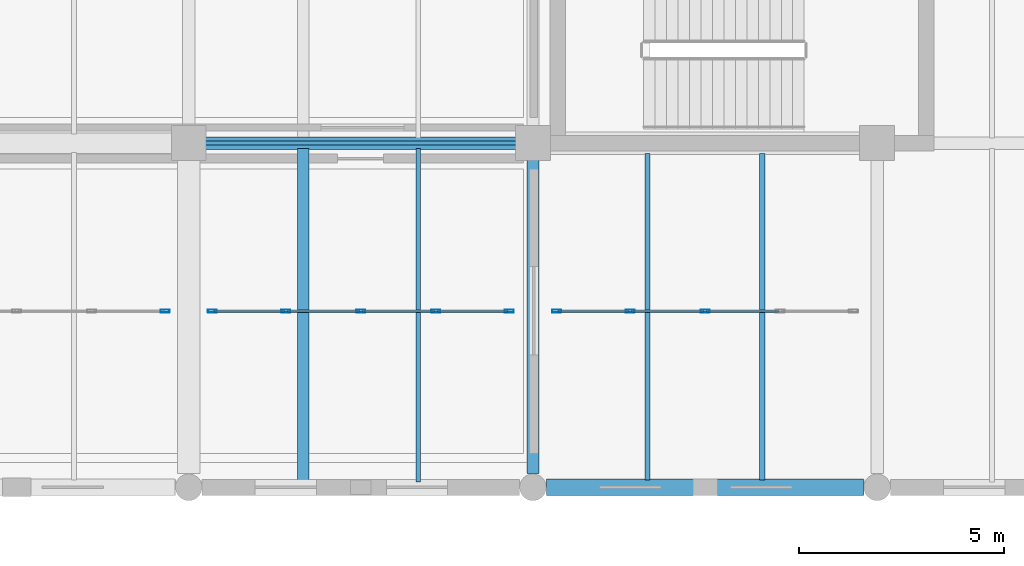
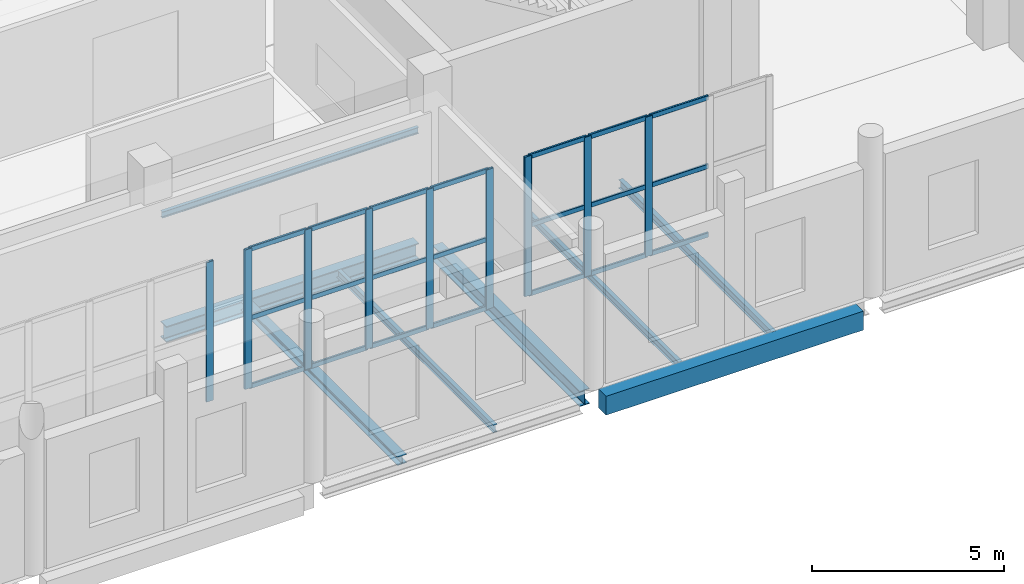
# One storey, part 7 of 73: 30 members, 8 beams, 3 elements without a shape of their own.
"""IFC4 building model written with IfcOpenShell, lengths in metres."""

from ifc_helpers import new_model, si_unit, direction, frame, origin, origin_2d, place, context, subcontext, project, spatial, rectangle, hollow_rectangle, i_section, extrude, material, layer, layer_set, material_profile, profile_set, type_object, element, aggregate, save


model = new_model("IFC4")

# Units and contexts
model_context = context("Model", 3, precision=1e-05, world=origin(), true_north=direction((0.0, 1.0)))
body_context = subcontext(model_context, "Body", "Model", "MODEL_VIEW")
ifc_project = project(units=[si_unit("LENGTHUNIT", "METRE"), si_unit("AREAUNIT", "SQUARE_METRE"), si_unit("VOLUMEUNIT", "CUBIC_METRE"), si_unit("PLANEANGLEUNIT", "RADIAN"), si_unit("MASSUNIT", "GRAM", prefix="KILO")], contexts=[model_context])

# Site, building, storey
site_placement = place(None, origin())
site = spatial("IfcSite", under=ifc_project, at=site_placement, CompositionType="ELEMENT")
building_placement = place(site_placement, origin())
building = spatial("IfcBuilding", under=site, at=building_placement, Name="Zulmaris Art Gallery", CompositionType="ELEMENT")
storey_placement = place(building_placement, frame((0.0, 0.0, 10.5)))
storey = spatial("IfcBuildingStorey", under=building, at=storey_placement, Name="L02", CompositionType="ELEMENT", Elevation=10.5)

# Beams
ifc_material_1 = material(Name="Steel S355J2", Category="steel")
ifc_material_profile_1 = material_profile(ifc_material_1, i_section(OverallWidth=0.300048828125, OverallDepth=0.489990234375, WebThickness=0.011962890625, FlangeThickness=0.02294921875, FilletRadius=0.027099609375, at=origin_2d()), Name="HEA 500")
ifc_profile_set_1 = profile_set([ifc_material_profile_1], Name="Steel S355J2")
beam_type_1 = type_object("IfcBeamType", Name="BEAM-BM11", PredefinedType="BEAM", material=ifc_profile_set_1)
beam_1_placement = place(storey_placement, frame((66.0, 13.534912109375, -0.64501953125), z_axis=(0.0, 1.0, 0.0), x_axis=(-1.0, 0.0, 0.0)))
element("IfcBeam", 1, at=beam_1_placement, inside=storey, type_object=beam_type_1, Name="L02 Y-girder (x=66.0, 13.2..21.6)", PredefinedType="BEAM", context=body_context, shape_type="SweptSolid", body=[
    extrude(i_section(OverallWidth=0.300048828125, OverallDepth=0.489990234375, WebThickness=0.011962890625, FlangeThickness=0.02294921875, FilletRadius=0.027099609375, at=origin_2d()), origin(), (0.0, 0.0, 1.0), 7.655029296875),
])
ifc_material_profile_2 = material_profile(ifc_material_1, i_section(OverallWidth=0.300048828125, OverallDepth=0.5, WebThickness=0.014404296875, FlangeThickness=0.028076171875, FilletRadius=0.027099609375, at=origin_2d()), Name="HEB 500")
ifc_profile_set_2 = profile_set([ifc_material_profile_2], Name="Steel S355J2")
beam_type_2 = type_object("IfcBeamType", Name="BEAM-BM14", PredefinedType="BEAM", material=ifc_profile_set_2)
beam_2_placement = place(storey_placement, frame((58.010009765625, 21.60009765625, -0.64990234375), z_axis=(1.0, 0.0, 0.0), x_axis=(0.0, 1.0, 0.0)))
element("IfcBeam", 2, at=beam_2_placement, inside=storey, type_object=beam_type_2, Name="L02 X-girder (57.6..66.0, y=21.6)", PredefinedType="BEAM", context=body_context, shape_type="SweptSolid", body=[
    extrude(i_section(OverallWidth=0.300048828125, OverallDepth=0.5, WebThickness=0.014404296875, FlangeThickness=0.028076171875, FilletRadius=0.027099609375, at=origin_2d()), origin(), (0.0, 0.0, 1.0), 7.580078125),
])
ifc_material_profile_3 = material_profile(ifc_material_1, i_section(OverallWidth=0.1201171875, OverallDepth=0.239990234375, WebThickness=0.006103515625, FlangeThickness=0.009765625, FilletRadius=0.014892578125, at=origin_2d()), Name="IPE 240")
ifc_profile_set_3 = profile_set([ifc_material_profile_3], Name="Steel S355J2")
beam_type_3 = type_object("IfcBeamType", Name="BEAM-JS01", PredefinedType="JOIST", material=ifc_profile_set_3)
beam_3_placement = place(storey_placement, frame((63.199951171875, 13.324951171875, -0.52001953125), z_axis=(0.0, 1.0, 0.0), x_axis=(-1.0, 0.0, 0.0)))
element("IfcBeam", 3, at=beam_3_placement, inside=storey, type_object=beam_type_3, Name="L02 secondary joist at x=63.2", PredefinedType="JOIST", context=body_context, shape_type="SweptSolid", body=[
    extrude(i_section(OverallWidth=0.1201171875, OverallDepth=0.239990234375, WebThickness=0.006103515625, FlangeThickness=0.009765625, FilletRadius=0.014892578125, at=origin_2d()), origin(), (0.0, 0.0, 1.0), 8.150146484375),
])
beam_4_placement = place(storey_placement, frame((68.800048828125, 13.375, -0.52001953125), z_axis=(0.0, 1.0, 0.0), x_axis=(-1.0, 0.0, 0.0)))
element("IfcBeam", 4, at=beam_4_placement, inside=storey, type_object=beam_type_3, Name="L02 secondary joist at x=68.8", PredefinedType="JOIST", context=body_context, shape_type="SweptSolid", body=[
    extrude(i_section(OverallWidth=0.1201171875, OverallDepth=0.239990234375, WebThickness=0.006103515625, FlangeThickness=0.009765625, FilletRadius=0.014892578125, at=origin_2d()), origin(), (0.0, 0.0, 1.0), 7.97509765625),
])
ifc_material_profile_4 = material_profile(ifc_material_1, i_section(OverallWidth=0.135009765625, OverallDepth=0.27001953125, WebThickness=0.006591796875, FlangeThickness=0.01025390625, FilletRadius=0.014892578125, at=origin_2d()), Name="IPE 270")
ifc_profile_set_4 = profile_set([ifc_material_profile_4], Name="Steel S355J2")
beam_type_4 = type_object("IfcBeamType", Name="BEAM-JS02", PredefinedType="JOIST", material=ifc_profile_set_4)
beam_5_placement = place(storey_placement, frame((71.60009765625, 13.375, -0.534912109375), z_axis=(0.0, 1.0, 0.0), x_axis=(-1.0, 0.0, 0.0)))
element("IfcBeam", 5, at=beam_5_placement, inside=storey, type_object=beam_type_4, Name="L02 secondary joist at x=71.6", PredefinedType="JOIST", context=body_context, shape_type="SweptSolid", body=[
    extrude(i_section(OverallWidth=0.135009765625, OverallDepth=0.27001953125, WebThickness=0.006591796875, FlangeThickness=0.01025390625, FilletRadius=0.014892578125, at=origin_2d()), origin(), (0.0, 0.0, 1.0), 7.97509765625),
])
ifc_material_profile_5 = material_profile(ifc_material_1, i_section(OverallWidth=0.280029296875, OverallDepth=0.27001953125, WebThickness=0.008056640625, FlangeThickness=0.012939453125, FilletRadius=0.02392578125, at=origin_2d()), Name="HEA 280")
ifc_profile_set_5 = profile_set([ifc_material_profile_5], Name="Steel S355J2")
beam_type_5 = type_object("IfcBeamType", Name="BEAM-JS04", PredefinedType="JOIST", material=ifc_profile_set_5)
beam_6_placement = place(storey_placement, frame((60.39990234375, 13.324951171875, -0.534912109375), z_axis=(0.0, 1.0, 0.0), x_axis=(-1.0, 0.0, 0.0)))
element("IfcBeam", 6, at=beam_6_placement, inside=storey, type_object=beam_type_5, Name="L02 secondary joist at x=60.4", PredefinedType="JOIST", context=body_context, shape_type="SweptSolid", body=[
    extrude(i_section(OverallWidth=0.280029296875, OverallDepth=0.27001953125, WebThickness=0.008056640625, FlangeThickness=0.012939453125, FilletRadius=0.02392578125, at=origin_2d()), origin(), (0.0, 0.0, 1.0), 8.150146484375),
])
ifc_material_profile_6 = material_profile(ifc_material_1, i_section(OverallWidth=0.10009765625, OverallDepth=0.199951171875, WebThickness=0.005615234375, FlangeThickness=0.008544921875, FilletRadius=0.011962890625, at=origin_2d()), Name="IPE 200")
ifc_profile_set_6 = profile_set([ifc_material_profile_6], Name="Steel S355J2")
beam_type_6 = type_object("IfcBeamType", Name="BEAM-LN01", PredefinedType="LINTEL", material=ifc_profile_set_6)
beam_7_placement = place(storey_placement, frame((57.949951171875, 21.60009765625, 3.10009765625), z_axis=(1.0, 0.0, 0.0), x_axis=(0.0, 1.0, 0.0)))
element("IfcBeam", 7, at=beam_7_placement, inside=storey, type_object=beam_type_6, Name="L02 portal lintel 8", PredefinedType="LINTEL", context=body_context, shape_type="SweptSolid", body=[
    extrude(i_section(OverallWidth=0.10009765625, OverallDepth=0.199951171875, WebThickness=0.005615234375, FlangeThickness=0.008544921875, FilletRadius=0.011962890625, at=origin_2d()), origin(), (0.0, 0.0, 1.0), 7.699951171875),
])
ifc_material_2 = material(Name="Concrete C40/50", Category="concrete")
ifc_material_profile_7 = material_profile(ifc_material_2, rectangle(XDim=0.39990234375, YDim=0.60009765625, at=origin_2d()), Name="RC 400x600")
ifc_profile_set_7 = profile_set([ifc_material_profile_7], Name="Concrete C40/50")
beam_type_7 = type_object("IfcBeamType", Name="BEAM-SP03", PredefinedType="SPANDREL", material=ifc_profile_set_7)
beam_8_placement = place(storey_placement, frame((66.3349609375, 13.199951171875, -0.699951171875), z_axis=(1.0, 0.0, 0.0), x_axis=(0.0, 1.0, 0.0)))
element("IfcBeam", 8, at=beam_8_placement, inside=storey, type_object=beam_type_7, Name="L02 X-girder (66.0..74.4, y=13.2)", PredefinedType="SPANDREL", context=body_context, shape_type="SweptSolid", body=[
    extrude(rectangle(XDim=0.39990234375, YDim=0.60009765625, at=origin_2d()), origin(), (0.0, 0.0, 1.0), 7.72998046875),
])

# Curtain wall, member
ifc_material_3 = material(Name="Cloister & Court Glazed Curtain Wall", Category="aluminium")
ifc_layer = layer(ifc_material_3, 0.179931640625)
ifc_layer_set = layer_set([ifc_layer], Name="Cloister & Court Glazed Curtain Wall")
curtain_wall_type = type_object("IfcCurtainWallType", Name="CW-CW03", PredefinedType="NOTDEFINED", material=ifc_layer_set)
curtain_wall_1_placement = place(storey_placement, origin())
curtain_wall_1 = element("IfcCurtainWall", 9, at=curtain_wall_1_placement, inside=storey, type_object=curtain_wall_type, Name="L02 curtain wall 59", PredefinedType="NOTDEFINED")
ifc_material_4 = material(Name="Anodised Bronze Aluminium", Category="aluminium")
ifc_material_profile_8 = material_profile(ifc_material_4, hollow_rectangle(XDim=0.074951171875, YDim=0.219970703125, WallThickness=0.0048828125, InnerFilletRadius=0.007568359375, OuterFilletRadius=0.012451171875, at=origin_2d()), Name="ALU 75x220x5")
ifc_profile_set_8 = profile_set([ifc_material_profile_8], Name="Anodised Bronze Aluminium")
member_type_1 = type_object("IfcMemberType", Name="CWMUL-02", PredefinedType="MULLION", material=ifc_profile_set_8)
member_1_placement = place(storey_placement, frame((57.0224609375, 17.5, 0.0), z_axis=(0.0, 0.0, 1.0), x_axis=(0.0, 1.0, 0.0)))
member_1 = element("IfcMember", 10, at=member_1_placement, type_object=member_type_1, Name="CW03 mullion 5", PredefinedType="MULLION", context=body_context, shape_type="SweptSolid", body=[
    extrude(hollow_rectangle(XDim=0.074951171875, YDim=0.219970703125, WallThickness=0.0048828125, InnerFilletRadius=0.007568359375, OuterFilletRadius=0.012451171875, at=origin_2d()), origin(), (0.0, 0.0, 1.0), 4.429931640625),
])
aggregate(curtain_wall_1, [member_1])

# Curtain wall, members
curtain_wall_2_placement = place(storey_placement, origin())
curtain_wall_2 = element("IfcCurtainWall", 11, at=curtain_wall_2_placement, inside=storey, type_object=curtain_wall_type, Name="L02 curtain wall 60", PredefinedType="NOTDEFINED")
member_2_placement = place(storey_placement, frame((58.177490234375, 17.5, 0.0), z_axis=(0.0, 0.0, 1.0), x_axis=(0.0, 1.0, 0.0)))
member_2 = element("IfcMember", 12, at=member_2_placement, type_object=member_type_1, Name="CW03 mullion 1", PredefinedType="MULLION", context=body_context, shape_type="SweptSolid", body=[
    extrude(hollow_rectangle(XDim=0.074951171875, YDim=0.219970703125, WallThickness=0.0048828125, InnerFilletRadius=0.007568359375, OuterFilletRadius=0.012451171875, at=origin_2d()), origin(), (0.0, 0.0, 1.0), 4.429931640625),
])
member_3_placement = place(storey_placement, frame((59.969970703125, 17.5, 0.0), z_axis=(0.0, 0.0, 1.0), x_axis=(0.0, 1.0, 0.0)))
member_3 = element("IfcMember", 13, at=member_3_placement, type_object=member_type_1, Name="CW03 mullion 2", PredefinedType="MULLION", context=body_context, shape_type="SweptSolid", body=[
    extrude(hollow_rectangle(XDim=0.074951171875, YDim=0.219970703125, WallThickness=0.0048828125, InnerFilletRadius=0.007568359375, OuterFilletRadius=0.012451171875, at=origin_2d()), origin(), (0.0, 0.0, 1.0), 4.429931640625),
])
member_4_placement = place(storey_placement, frame((61.800048828125, 17.5, 0.0), z_axis=(0.0, 0.0, 1.0), x_axis=(0.0, 1.0, 0.0)))
member_4 = element("IfcMember", 14, at=member_4_placement, type_object=member_type_1, Name="CW03 mullion 3", PredefinedType="MULLION", context=body_context, shape_type="SweptSolid", body=[
    extrude(hollow_rectangle(XDim=0.074951171875, YDim=0.219970703125, WallThickness=0.0048828125, InnerFilletRadius=0.007568359375, OuterFilletRadius=0.012451171875, at=origin_2d()), origin(), (0.0, 0.0, 1.0), 4.429931640625),
])
member_5_placement = place(storey_placement, frame((63.6298828125, 17.5, 0.0), z_axis=(0.0, 0.0, 1.0), x_axis=(0.0, 1.0, 0.0)))
member_5 = element("IfcMember", 15, at=member_5_placement, type_object=member_type_1, Name="CW03 mullion 4", PredefinedType="MULLION", context=body_context, shape_type="SweptSolid", body=[
    extrude(hollow_rectangle(XDim=0.074951171875, YDim=0.219970703125, WallThickness=0.0048828125, InnerFilletRadius=0.007568359375, OuterFilletRadius=0.012451171875, at=origin_2d()), origin(), (0.0, 0.0, 1.0), 4.429931640625),
])
member_6_placement = place(storey_placement, frame((65.422607421875, 17.5, 0.0), z_axis=(0.0, 0.0, 1.0), x_axis=(0.0, 1.0, 0.0)))
member_6 = element("IfcMember", 16, at=member_6_placement, type_object=member_type_1, Name="CW03 mullion 5", PredefinedType="MULLION", context=body_context, shape_type="SweptSolid", body=[
    extrude(hollow_rectangle(XDim=0.074951171875, YDim=0.219970703125, WallThickness=0.0048828125, InnerFilletRadius=0.007568359375, OuterFilletRadius=0.012451171875, at=origin_2d()), origin(), (0.0, 0.0, 1.0), 4.429931640625),
])

curtain_wall_3_placement = place(storey_placement, origin())
curtain_wall_3 = element("IfcCurtainWall", 17, at=curtain_wall_3_placement, inside=storey, type_object=curtain_wall_type, Name="L02 curtain wall 61", PredefinedType="NOTDEFINED")
member_7_placement = place(storey_placement, frame((66.577392578125, 17.5, 0.0), z_axis=(0.0, 0.0, 1.0), x_axis=(0.0, 1.0, 0.0)))
member_7 = element("IfcMember", 18, at=member_7_placement, type_object=member_type_1, Name="CW03 mullion 1", PredefinedType="MULLION", context=body_context, shape_type="SweptSolid", body=[
    extrude(hollow_rectangle(XDim=0.074951171875, YDim=0.219970703125, WallThickness=0.0048828125, InnerFilletRadius=0.007568359375, OuterFilletRadius=0.012451171875, at=origin_2d()), origin(), (0.0, 0.0, 1.0), 4.429931640625),
])
member_8_placement = place(storey_placement, frame((68.3701171875, 17.5, 0.0), z_axis=(0.0, 0.0, 1.0), x_axis=(0.0, 1.0, 0.0)))
member_8 = element("IfcMember", 19, at=member_8_placement, type_object=member_type_1, Name="CW03 mullion 2", PredefinedType="MULLION", context=body_context, shape_type="SweptSolid", body=[
    extrude(hollow_rectangle(XDim=0.074951171875, YDim=0.219970703125, WallThickness=0.0048828125, InnerFilletRadius=0.007568359375, OuterFilletRadius=0.012451171875, at=origin_2d()), origin(), (0.0, 0.0, 1.0), 4.429931640625),
])
member_9_placement = place(storey_placement, frame((70.199951171875, 17.5, 0.0), z_axis=(0.0, 0.0, 1.0), x_axis=(0.0, 1.0, 0.0)))
member_9 = element("IfcMember", 20, at=member_9_placement, type_object=member_type_1, Name="CW03 mullion 3", PredefinedType="MULLION", context=body_context, shape_type="SweptSolid", body=[
    extrude(hollow_rectangle(XDim=0.074951171875, YDim=0.219970703125, WallThickness=0.0048828125, InnerFilletRadius=0.007568359375, OuterFilletRadius=0.012451171875, at=origin_2d()), origin(), (0.0, 0.0, 1.0), 4.429931640625),
])

# Member
ifc_material_profile_9 = material_profile(ifc_material_4, hollow_rectangle(XDim=0.06494140625, YDim=0.14990234375, WallThickness=0.00390625, InnerFilletRadius=0.006103515625, OuterFilletRadius=0.010009765625, at=origin_2d()), Name="ALU 65x150x4")
ifc_profile_set_9 = profile_set([ifc_material_profile_9], Name="Anodised Bronze Aluminium")
member_type_2 = type_object("IfcMemberType", Name="CWTRN-01", PredefinedType="USERDEFINED", material=ifc_profile_set_9)
member_10_placement = place(storey_placement, frame((58.215087890625, 17.5, 0.03759765625), z_axis=(1.0, 0.0, 0.0), x_axis=(0.0, 1.0, 0.0)))
member_10 = element("IfcMember", 21, at=member_10_placement, type_object=member_type_2, Name="CW03 transom 1.1", ObjectType="TRANSOM", PredefinedType="USERDEFINED", context=body_context, shape_type="SweptSolid", body=[
    extrude(hollow_rectangle(XDim=0.06494140625, YDim=0.14990234375, WallThickness=0.00390625, InnerFilletRadius=0.006103515625, OuterFilletRadius=0.010009765625, at=origin_2d()), origin(), (0.0, 0.0, 1.0), 1.717529296875),
])

member_11_placement = place(storey_placement, frame((58.215087890625, 17.5, 2.215087890625), z_axis=(1.0, 0.0, 0.0), x_axis=(0.0, 1.0, 0.0)))
member_11 = element("IfcMember", 22, at=member_11_placement, type_object=member_type_2, Name="CW03 transom 1.2", ObjectType="TRANSOM", PredefinedType="USERDEFINED", context=body_context, shape_type="SweptSolid", body=[
    extrude(hollow_rectangle(XDim=0.06494140625, YDim=0.14990234375, WallThickness=0.00390625, InnerFilletRadius=0.006103515625, OuterFilletRadius=0.010009765625, at=origin_2d()), origin(), (0.0, 0.0, 1.0), 1.717529296875),
])

member_12_placement = place(storey_placement, frame((58.215087890625, 17.5, 4.392578125), z_axis=(1.0, 0.0, 0.0), x_axis=(0.0, 1.0, 0.0)))
member_12 = element("IfcMember", 23, at=member_12_placement, type_object=member_type_2, Name="CW03 transom 1.3", ObjectType="TRANSOM", PredefinedType="USERDEFINED", context=body_context, shape_type="SweptSolid", body=[
    extrude(hollow_rectangle(XDim=0.06494140625, YDim=0.14990234375, WallThickness=0.00390625, InnerFilletRadius=0.006103515625, OuterFilletRadius=0.010009765625, at=origin_2d()), origin(), (0.0, 0.0, 1.0), 1.717529296875),
])

member_13_placement = place(storey_placement, frame((60.007568359375, 17.5, 0.03759765625), z_axis=(1.0, 0.0, 0.0), x_axis=(0.0, 1.0, 0.0)))
member_13 = element("IfcMember", 24, at=member_13_placement, type_object=member_type_2, Name="CW03 transom 2.1", ObjectType="TRANSOM", PredefinedType="USERDEFINED", context=body_context, shape_type="SweptSolid", body=[
    extrude(hollow_rectangle(XDim=0.06494140625, YDim=0.14990234375, WallThickness=0.00390625, InnerFilletRadius=0.006103515625, OuterFilletRadius=0.010009765625, at=origin_2d()), origin(), (0.0, 0.0, 1.0), 1.7548828125),
])

member_14_placement = place(storey_placement, frame((60.007568359375, 17.5, 2.215087890625), z_axis=(1.0, 0.0, 0.0), x_axis=(0.0, 1.0, 0.0)))
member_14 = element("IfcMember", 25, at=member_14_placement, type_object=member_type_2, Name="CW03 transom 2.2", ObjectType="TRANSOM", PredefinedType="USERDEFINED", context=body_context, shape_type="SweptSolid", body=[
    extrude(hollow_rectangle(XDim=0.06494140625, YDim=0.14990234375, WallThickness=0.00390625, InnerFilletRadius=0.006103515625, OuterFilletRadius=0.010009765625, at=origin_2d()), origin(), (0.0, 0.0, 1.0), 1.7548828125),
])

member_15_placement = place(storey_placement, frame((60.007568359375, 17.5, 4.392578125), z_axis=(1.0, 0.0, 0.0), x_axis=(0.0, 1.0, 0.0)))
member_15 = element("IfcMember", 26, at=member_15_placement, type_object=member_type_2, Name="CW03 transom 2.3", ObjectType="TRANSOM", PredefinedType="USERDEFINED", context=body_context, shape_type="SweptSolid", body=[
    extrude(hollow_rectangle(XDim=0.06494140625, YDim=0.14990234375, WallThickness=0.00390625, InnerFilletRadius=0.006103515625, OuterFilletRadius=0.010009765625, at=origin_2d()), origin(), (0.0, 0.0, 1.0), 1.7548828125),
])

member_16_placement = place(storey_placement, frame((61.83740234375, 17.5, 0.03759765625), z_axis=(1.0, 0.0, 0.0), x_axis=(0.0, 1.0, 0.0)))
member_16 = element("IfcMember", 27, at=member_16_placement, type_object=member_type_2, Name="CW03 transom 3.1", ObjectType="TRANSOM", PredefinedType="USERDEFINED", context=body_context, shape_type="SweptSolid", body=[
    extrude(hollow_rectangle(XDim=0.06494140625, YDim=0.14990234375, WallThickness=0.00390625, InnerFilletRadius=0.006103515625, OuterFilletRadius=0.010009765625, at=origin_2d()), origin(), (0.0, 0.0, 1.0), 1.755126953125),
])

member_17_placement = place(storey_placement, frame((61.83740234375, 17.5, 2.215087890625), z_axis=(1.0, 0.0, 0.0), x_axis=(0.0, 1.0, 0.0)))
member_17 = element("IfcMember", 28, at=member_17_placement, type_object=member_type_2, Name="CW03 transom 3.2", ObjectType="TRANSOM", PredefinedType="USERDEFINED", context=body_context, shape_type="SweptSolid", body=[
    extrude(hollow_rectangle(XDim=0.06494140625, YDim=0.14990234375, WallThickness=0.00390625, InnerFilletRadius=0.006103515625, OuterFilletRadius=0.010009765625, at=origin_2d()), origin(), (0.0, 0.0, 1.0), 1.755126953125),
])

member_18_placement = place(storey_placement, frame((61.83740234375, 17.5, 4.392578125), z_axis=(1.0, 0.0, 0.0), x_axis=(0.0, 1.0, 0.0)))
member_18 = element("IfcMember", 29, at=member_18_placement, type_object=member_type_2, Name="CW03 transom 3.3", ObjectType="TRANSOM", PredefinedType="USERDEFINED", context=body_context, shape_type="SweptSolid", body=[
    extrude(hollow_rectangle(XDim=0.06494140625, YDim=0.14990234375, WallThickness=0.00390625, InnerFilletRadius=0.006103515625, OuterFilletRadius=0.010009765625, at=origin_2d()), origin(), (0.0, 0.0, 1.0), 1.755126953125),
])

member_19_placement = place(storey_placement, frame((63.66748046875, 17.5, 0.03759765625), z_axis=(1.0, 0.0, 0.0), x_axis=(0.0, 1.0, 0.0)))
member_19 = element("IfcMember", 30, at=member_19_placement, type_object=member_type_2, Name="CW03 transom 4.1", ObjectType="TRANSOM", PredefinedType="USERDEFINED", context=body_context, shape_type="SweptSolid", body=[
    extrude(hollow_rectangle(XDim=0.06494140625, YDim=0.14990234375, WallThickness=0.00390625, InnerFilletRadius=0.006103515625, OuterFilletRadius=0.010009765625, at=origin_2d()), origin(), (0.0, 0.0, 1.0), 1.717529296875),
])

member_20_placement = place(storey_placement, frame((63.66748046875, 17.5, 2.215087890625), z_axis=(1.0, 0.0, 0.0), x_axis=(0.0, 1.0, 0.0)))
member_20 = element("IfcMember", 31, at=member_20_placement, type_object=member_type_2, Name="CW03 transom 4.2", ObjectType="TRANSOM", PredefinedType="USERDEFINED", context=body_context, shape_type="SweptSolid", body=[
    extrude(hollow_rectangle(XDim=0.06494140625, YDim=0.14990234375, WallThickness=0.00390625, InnerFilletRadius=0.006103515625, OuterFilletRadius=0.010009765625, at=origin_2d()), origin(), (0.0, 0.0, 1.0), 1.717529296875),
])

member_21_placement = place(storey_placement, frame((63.66748046875, 17.5, 4.392578125), z_axis=(1.0, 0.0, 0.0), x_axis=(0.0, 1.0, 0.0)))
member_21 = element("IfcMember", 32, at=member_21_placement, type_object=member_type_2, Name="CW03 transom 4.3", ObjectType="TRANSOM", PredefinedType="USERDEFINED", context=body_context, shape_type="SweptSolid", body=[
    extrude(hollow_rectangle(XDim=0.06494140625, YDim=0.14990234375, WallThickness=0.00390625, InnerFilletRadius=0.006103515625, OuterFilletRadius=0.010009765625, at=origin_2d()), origin(), (0.0, 0.0, 1.0), 1.717529296875),
])

aggregate(curtain_wall_2, [member_2, member_3, member_4, member_5, member_6, member_10, member_11, member_12, member_13, member_14, member_15, member_16, member_17, member_18, member_19, member_20, member_21])

member_22_placement = place(storey_placement, frame((66.614990234375, 17.5, 0.03759765625), z_axis=(1.0, 0.0, 0.0), x_axis=(0.0, 1.0, 0.0)))
member_22 = element("IfcMember", 33, at=member_22_placement, type_object=member_type_2, Name="CW03 transom 1.1", ObjectType="TRANSOM", PredefinedType="USERDEFINED", context=body_context, shape_type="SweptSolid", body=[
    extrude(hollow_rectangle(XDim=0.06494140625, YDim=0.14990234375, WallThickness=0.00390625, InnerFilletRadius=0.006103515625, OuterFilletRadius=0.010009765625, at=origin_2d()), origin(), (0.0, 0.0, 1.0), 1.717529296875),
])

member_23_placement = place(storey_placement, frame((66.614990234375, 17.5, 2.215087890625), z_axis=(1.0, 0.0, 0.0), x_axis=(0.0, 1.0, 0.0)))
member_23 = element("IfcMember", 34, at=member_23_placement, type_object=member_type_2, Name="CW03 transom 1.2", ObjectType="TRANSOM", PredefinedType="USERDEFINED", context=body_context, shape_type="SweptSolid", body=[
    extrude(hollow_rectangle(XDim=0.06494140625, YDim=0.14990234375, WallThickness=0.00390625, InnerFilletRadius=0.006103515625, OuterFilletRadius=0.010009765625, at=origin_2d()), origin(), (0.0, 0.0, 1.0), 1.717529296875),
])

member_24_placement = place(storey_placement, frame((66.614990234375, 17.5, 4.392578125), z_axis=(1.0, 0.0, 0.0), x_axis=(0.0, 1.0, 0.0)))
member_24 = element("IfcMember", 35, at=member_24_placement, type_object=member_type_2, Name="CW03 transom 1.3", ObjectType="TRANSOM", PredefinedType="USERDEFINED", context=body_context, shape_type="SweptSolid", body=[
    extrude(hollow_rectangle(XDim=0.06494140625, YDim=0.14990234375, WallThickness=0.00390625, InnerFilletRadius=0.006103515625, OuterFilletRadius=0.010009765625, at=origin_2d()), origin(), (0.0, 0.0, 1.0), 1.717529296875),
])

member_25_placement = place(storey_placement, frame((68.407470703125, 17.5, 0.03759765625), z_axis=(1.0, 0.0, 0.0), x_axis=(0.0, 1.0, 0.0)))
member_25 = element("IfcMember", 36, at=member_25_placement, type_object=member_type_2, Name="CW03 transom 2.1", ObjectType="TRANSOM", PredefinedType="USERDEFINED", context=body_context, shape_type="SweptSolid", body=[
    extrude(hollow_rectangle(XDim=0.06494140625, YDim=0.14990234375, WallThickness=0.00390625, InnerFilletRadius=0.006103515625, OuterFilletRadius=0.010009765625, at=origin_2d()), origin(), (0.0, 0.0, 1.0), 1.755126953125),
])

member_26_placement = place(storey_placement, frame((68.407470703125, 17.5, 2.215087890625), z_axis=(1.0, 0.0, 0.0), x_axis=(0.0, 1.0, 0.0)))
member_26 = element("IfcMember", 37, at=member_26_placement, type_object=member_type_2, Name="CW03 transom 2.2", ObjectType="TRANSOM", PredefinedType="USERDEFINED", context=body_context, shape_type="SweptSolid", body=[
    extrude(hollow_rectangle(XDim=0.06494140625, YDim=0.14990234375, WallThickness=0.00390625, InnerFilletRadius=0.006103515625, OuterFilletRadius=0.010009765625, at=origin_2d()), origin(), (0.0, 0.0, 1.0), 1.755126953125),
])

member_27_placement = place(storey_placement, frame((68.407470703125, 17.5, 4.392578125), z_axis=(1.0, 0.0, 0.0), x_axis=(0.0, 1.0, 0.0)))
member_27 = element("IfcMember", 38, at=member_27_placement, type_object=member_type_2, Name="CW03 transom 2.3", ObjectType="TRANSOM", PredefinedType="USERDEFINED", context=body_context, shape_type="SweptSolid", body=[
    extrude(hollow_rectangle(XDim=0.06494140625, YDim=0.14990234375, WallThickness=0.00390625, InnerFilletRadius=0.006103515625, OuterFilletRadius=0.010009765625, at=origin_2d()), origin(), (0.0, 0.0, 1.0), 1.755126953125),
])

member_28_placement = place(storey_placement, frame((70.237548828125, 17.5, 0.03759765625), z_axis=(1.0, 0.0, 0.0), x_axis=(0.0, 1.0, 0.0)))
member_28 = element("IfcMember", 39, at=member_28_placement, type_object=member_type_2, Name="CW03 transom 3.1", ObjectType="TRANSOM", PredefinedType="USERDEFINED", context=body_context, shape_type="SweptSolid", body=[
    extrude(hollow_rectangle(XDim=0.06494140625, YDim=0.14990234375, WallThickness=0.00390625, InnerFilletRadius=0.006103515625, OuterFilletRadius=0.010009765625, at=origin_2d()), origin(), (0.0, 0.0, 1.0), 1.7548828125),
])

member_29_placement = place(storey_placement, frame((70.237548828125, 17.5, 2.215087890625), z_axis=(1.0, 0.0, 0.0), x_axis=(0.0, 1.0, 0.0)))
member_29 = element("IfcMember", 40, at=member_29_placement, type_object=member_type_2, Name="CW03 transom 3.2", ObjectType="TRANSOM", PredefinedType="USERDEFINED", context=body_context, shape_type="SweptSolid", body=[
    extrude(hollow_rectangle(XDim=0.06494140625, YDim=0.14990234375, WallThickness=0.00390625, InnerFilletRadius=0.006103515625, OuterFilletRadius=0.010009765625, at=origin_2d()), origin(), (0.0, 0.0, 1.0), 1.7548828125),
])

member_30_placement = place(storey_placement, frame((70.237548828125, 17.5, 4.392578125), z_axis=(1.0, 0.0, 0.0), x_axis=(0.0, 1.0, 0.0)))
member_30 = element("IfcMember", 41, at=member_30_placement, type_object=member_type_2, Name="CW03 transom 3.3", ObjectType="TRANSOM", PredefinedType="USERDEFINED", context=body_context, shape_type="SweptSolid", body=[
    extrude(hollow_rectangle(XDim=0.06494140625, YDim=0.14990234375, WallThickness=0.00390625, InnerFilletRadius=0.006103515625, OuterFilletRadius=0.010009765625, at=origin_2d()), origin(), (0.0, 0.0, 1.0), 1.7548828125),
])

aggregate(curtain_wall_3, [member_7, member_8, member_9, member_22, member_23, member_24, member_25, member_26, member_27, member_28, member_29, member_30])

save(model, "model.ifc")
